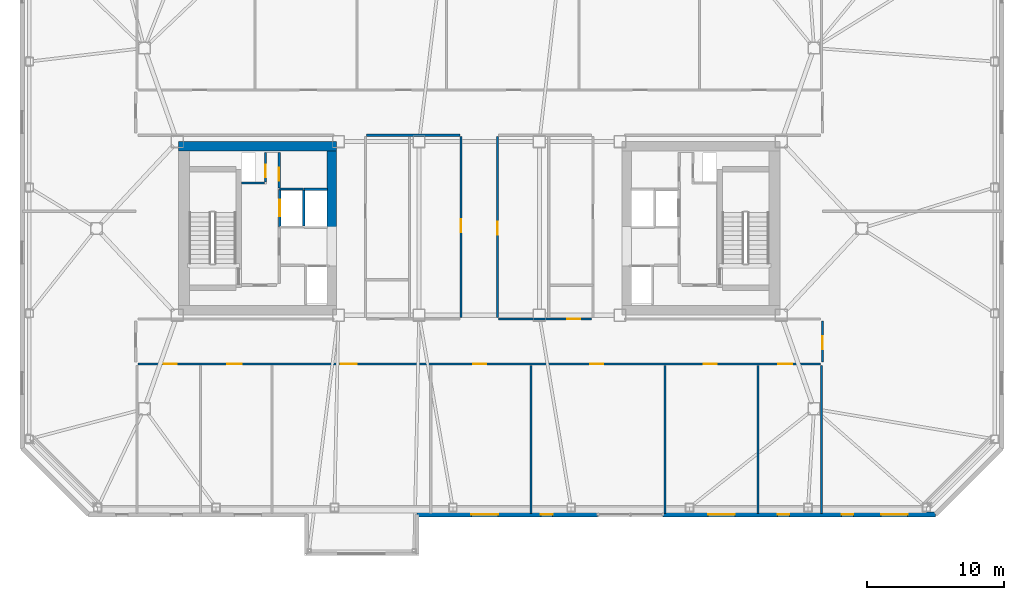
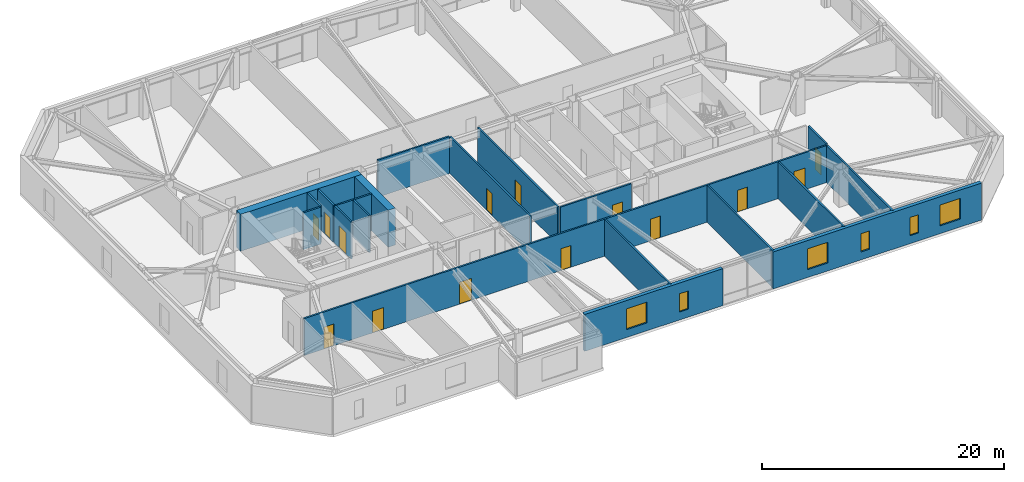
# One storey, part 10 of 16: 21 walls, 14 doors, 6 windows, 20 openings.
"""IFC4 building model written with IfcOpenShell, lengths in metres."""

from ifc_helpers import new_model, si_unit, direction, frame, frame_2d, origin, place, context, subcontext, project, spatial, rectangle, extrude, material, layer, layer_set, type_object, element, fill, save


model = new_model("IFC4")

# Units and contexts
model_context = context("Model", 3, precision=1e-05, world=origin(), true_north=direction((0.0, 1.0)))
body_context = subcontext(model_context, "Body", "Model", "MODEL_VIEW")
ifc_project = project(units=[si_unit("LENGTHUNIT", "METRE"), si_unit("AREAUNIT", "SQUARE_METRE"), si_unit("VOLUMEUNIT", "CUBIC_METRE"), si_unit("PLANEANGLEUNIT", "RADIAN"), si_unit("MASSUNIT", "GRAM", prefix="KILO")], contexts=[model_context])

# Site, building, storey
site_placement = place(None, origin())
site = spatial("IfcSite", under=ifc_project, at=site_placement, CompositionType="ELEMENT")
building_placement = place(site_placement, origin())
building = spatial("IfcBuilding", under=site, at=building_placement, Name="Tavrogorsk Clinical Tower", CompositionType="ELEMENT")
storey_placement = place(building_placement, frame((0.0, 0.0, 164.199951171875)))
storey = spatial("IfcBuildingStorey", under=building, at=storey_placement, Name="L37", CompositionType="ELEMENT", Elevation=164.199951171875)

# Wall, opening, door
ifc_material_1 = material(Name="Concrete B60", Category="concrete")
ifc_layer_1 = layer(ifc_material_1, 0.199951171875)
ifc_layer_set_1 = layer_set([ifc_layer_1], Name="Concrete B60")
wall_type_1 = type_object("IfcWallType", Name="CoreFireWall_200", PredefinedType="SOLIDWALL", material=ifc_layer_set_1)
wall_1_placement = place(storey_placement, frame((-14.639892578125, 2.9599609375, 0.0), z_axis=(0.0, 0.0, 1.0), x_axis=(0.0, 1.0, 0.0)))
wall_1 = element("IfcWall", 1, at=wall_1_placement, inside=storey, type_object=wall_type_1, Name="L37 Core West North Core Room East Wall", PredefinedType="SOLIDWALL", context=body_context, shape_type="SweptSolid", body=[
    extrude(rectangle(XDim=2.60009765625, YDim=0.199951171875, at=frame_2d((1.300048828125, 0.0))), origin(), (0.0, 0.0, 1.0), 3.739990234375),
])
opening_1_placement = place(wall_1_placement, frame((0.52001953125, 0.0, 0.0)))
opening_1 = element("IfcOpeningElement", 2, at=opening_1_placement, cuts=wall_1, Name="Opening ID-02", PredefinedType="OPENING", context=body_context, shape_type="SweptSolid", body=[
    extrude(rectangle(XDim=0.949951171875, YDim=2.199951171875, at=frame_2d((0.47509765625, 1.10009765625))), frame((0.0, 0.10986328125, 0.0), z_axis=(0.0, -1.0, 0.0), x_axis=(1.0, 0.0, 0.0)), (0.0, 0.0, 1.0), 0.219970703125),
])
ifc_material_2 = material(Name="Laminated timber leaf on aluminium frame", Category="wood")
door_type_1 = type_object("IfcDoorType", Name="InteriorDoor_ID02_950", OperationType="NOTDEFINED", PredefinedType="DOOR", material=ifc_material_2)
door_1_placement = place(opening_1_placement, origin())
door_1 = element("IfcDoor", 3, at=door_1_placement, inside=storey, type_object=door_type_1, Name="L37 Core West Core Telemetry Room Door", OperationType="SINGLE_SWING_LEFT", OverallHeight=2.199951171875, OverallWidth=0.949951171875, PredefinedType="DOOR", context=body_context, shape_type="SweptSolid", body=[
    extrude(rectangle(XDim=0.949951171875, YDim=2.199951171875, at=frame_2d((0.47509765625, 1.10009765625))), frame((0.0, 0.02490234375, 0.0), z_axis=(0.0, -1.0, 0.0), x_axis=(1.0, 0.0, 0.0)), (0.0, 0.0, 1.0), 0.050048828125),
])
fill(opening_1, door_1)

ifc_material_3 = material(Name="Lightweight concrete blockwork B15", Category="masonry")
ifc_layer_2 = layer(ifc_material_3, 0.159912109375)
ifc_layer_set_2 = layer_set([ifc_layer_2], Name="Lightweight concrete blockwork B15")
wall_type_2 = type_object("IfcWallType", Name="PartitionWall_160", PredefinedType="PARTITIONING", material=ifc_layer_set_2)
wall_2_placement = place(storey_placement, frame((25.1298828125, -6.784912109375, 0.0), z_axis=(0.0, 0.0, 1.0), x_axis=(0.0, -1.0, 0.0)))
wall_2 = element("IfcWall", 4, at=wall_2_placement, inside=storey, type_object=wall_type_2, Name="L37 Corridor Partition 09", PredefinedType="PARTITIONING", context=body_context, shape_type="SweptSolid", body=[
    extrude(rectangle(XDim=2.97998046875, YDim=0.159912109375, at=frame_2d((1.489990234375, 0.0))), origin(), (0.0, 0.0, 1.0), 3.739990234375),
])
opening_2_placement = place(wall_2_placement, frame((1.10009765625, 0.0, 0.0)))
opening_2 = element("IfcOpeningElement", 5, at=opening_2_placement, cuts=wall_2, Name="Opening ID-02", PredefinedType="OPENING", context=body_context, shape_type="SweptSolid", body=[
    extrude(rectangle(XDim=0.949951171875, YDim=2.199951171875, at=frame_2d((0.47509765625, 1.10009765625))), frame((0.0, 0.08984375, 0.0), z_axis=(0.0, -1.0, 0.0), x_axis=(1.0, 0.0, 0.0)), (0.0, 0.0, 1.0), 0.179931640625),
])
door_2_placement = place(opening_2_placement, origin())
door_2 = element("IfcDoor", 6, at=door_2_placement, inside=storey, type_object=door_type_1, Name="L37 E Senior Clinician Suite 1 Door", OperationType="SINGLE_SWING_RIGHT", OverallHeight=2.199951171875, OverallWidth=0.949951171875, PredefinedType="DOOR", context=body_context, shape_type="SweptSolid", body=[
    extrude(rectangle(XDim=0.949951171875, YDim=2.199951171875, at=frame_2d((0.47509765625, 1.10009765625))), frame((0.0, 0.02490234375, 0.0), z_axis=(0.0, -1.0, 0.0), x_axis=(1.0, 0.0, 0.0)), (0.0, 0.0, 1.0), 0.050048828125),
])
fill(opening_2, door_2)

# Wall, openings, doors
wall_3_placement = place(storey_placement, frame((24.965087890625, -9.929931640625, 0.0), z_axis=(0.0, 0.0, 1.0), x_axis=(-1.0, 0.0, 0.0)))
wall_3 = element("IfcWall", 7, at=wall_3_placement, inside=storey, type_object=wall_type_2, Name="L37 Corridor Partition 10", PredefinedType="PARTITIONING", context=body_context, shape_type="SweptSolid", body=[
    extrude(rectangle(XDim=49.93017578125, YDim=0.159912109375, at=frame_2d((24.965087890625, 0.0))), origin(), (0.0, 0.0, 1.0), 3.739990234375),
])
opening_3_placement = place(wall_3_placement, frame((47.10595703125, 0.0, 0.0)))
opening_3 = element("IfcOpeningElement", 8, at=opening_3_placement, cuts=wall_3, Name="Opening ID-02", PredefinedType="OPENING", context=body_context, shape_type="SweptSolid", body=[
    extrude(rectangle(XDim=0.949951171875, YDim=2.199951171875, at=frame_2d((0.47509765625, 1.10009765625))), frame((0.0, 0.08984375, 0.0), z_axis=(0.0, -1.0, 0.0), x_axis=(1.0, 0.0, 0.0)), (0.0, 0.0, 1.0), 0.179931640625),
])
opening_4_placement = place(wall_3_placement, frame((42.35498046875, 0.0, 0.0)))
opening_4 = element("IfcOpeningElement", 9, at=opening_4_placement, cuts=wall_3, Name="Opening ID-04", PredefinedType="OPENING", context=body_context, shape_type="SweptSolid", body=[
    extrude(rectangle(XDim=1.050048828125, YDim=2.199951171875, at=frame_2d((0.52490234375, 1.10009765625))), frame((0.0, 0.08984375, 0.0), z_axis=(0.0, -1.0, 0.0), x_axis=(1.0, 0.0, 0.0)), (0.0, 0.0, 1.0), 0.179931640625),
])
opening_5_placement = place(wall_3_placement, frame((33.929931640625, 0.0, 0.0)))
opening_5 = element("IfcOpeningElement", 10, at=opening_5_placement, cuts=wall_3, Name="Opening ID-06", PredefinedType="OPENING", context=body_context, shape_type="SweptSolid", body=[
    extrude(rectangle(XDim=1.14990234375, YDim=2.199951171875, at=frame_2d((0.574951171875, 1.10009765625))), frame((0.0, 0.08984375, 0.0), z_axis=(0.0, -1.0, 0.0), x_axis=(1.0, 0.0, 0.0)), (0.0, 0.0, 1.0), 0.179931640625),
])
opening_6_placement = place(wall_3_placement, frame((24.449951171875, 0.0, 0.0)))
opening_6 = element("IfcOpeningElement", 11, at=opening_6_placement, cuts=wall_3, Name="Opening ID-02", PredefinedType="OPENING", context=body_context, shape_type="SweptSolid", body=[
    extrude(rectangle(XDim=0.949951171875, YDim=2.199951171875, at=frame_2d((0.47509765625, 1.10009765625))), frame((0.0, 0.08984375, 0.0), z_axis=(0.0, -1.0, 0.0), x_axis=(1.0, 0.0, 0.0)), (0.0, 0.0, 1.0), 0.179931640625),
])
opening_7_placement = place(wall_3_placement, frame((15.875, 0.0, 0.0)))
opening_7 = element("IfcOpeningElement", 12, at=opening_7_placement, cuts=wall_3, Name="Opening ID-02", PredefinedType="OPENING", context=body_context, shape_type="SweptSolid", body=[
    extrude(rectangle(XDim=0.949951171875, YDim=2.199951171875, at=frame_2d((0.47509765625, 1.10009765625))), frame((0.0, 0.08984375, 0.0), z_axis=(0.0, -1.0, 0.0), x_axis=(1.0, 0.0, 0.0)), (0.0, 0.0, 1.0), 0.179931640625),
])
opening_8_placement = place(wall_3_placement, frame((7.574951171875, 0.0, 0.0)))
opening_8 = element("IfcOpeningElement", 13, at=opening_8_placement, cuts=wall_3, Name="Opening ID-02", PredefinedType="OPENING", context=body_context, shape_type="SweptSolid", body=[
    extrude(rectangle(XDim=0.949951171875, YDim=2.199951171875, at=frame_2d((0.47509765625, 1.10009765625))), frame((0.0, 0.08984375, 0.0), z_axis=(0.0, -1.0, 0.0), x_axis=(1.0, 0.0, 0.0)), (0.0, 0.0, 1.0), 0.179931640625),
])
opening_9_placement = place(wall_3_placement, frame((2.044189453125, 0.0, 0.0)))
opening_9 = element("IfcOpeningElement", 14, at=opening_9_placement, cuts=wall_3, Name="Opening ID-04", PredefinedType="OPENING", context=body_context, shape_type="SweptSolid", body=[
    extrude(rectangle(XDim=1.050048828125, YDim=2.199951171875, at=frame_2d((0.52490234375, 1.10009765625))), frame((0.0, 0.08984375, 0.0), z_axis=(0.0, -1.0, 0.0), x_axis=(1.0, 0.0, 0.0)), (0.0, 0.0, 1.0), 0.179931640625),
])
ifc_material_4 = material(Name="Antibacterial HPL consultation door on aluminium frame", Category="aluminium")
door_type_2 = type_object("IfcDoorType", Name="ConsultDoor_ID04_1050", OperationType="NOTDEFINED", PredefinedType="DOOR", material=ifc_material_4)
door_3_placement = place(opening_4_placement, origin())
door_3 = element("IfcDoor", 15, at=door_3_placement, inside=storey, type_object=door_type_2, Name="L37 South Dialysis Dialysate Storage Room 02 Door", OperationType="SINGLE_SWING_RIGHT", OverallHeight=2.199951171875, OverallWidth=1.050048828125, PredefinedType="DOOR", context=body_context, shape_type="SweptSolid", body=[
    extrude(rectangle(XDim=1.050048828125, YDim=2.199951171875, at=frame_2d((0.52490234375, 1.10009765625))), frame((0.0, 0.02490234375, 0.0), z_axis=(0.0, -1.0, 0.0), x_axis=(1.0, 0.0, 0.0)), (0.0, 0.0, 1.0), 0.050048828125),
])
fill(opening_4, door_3)
door_4_placement = place(opening_9_placement, origin())
door_4 = element("IfcDoor", 16, at=door_4_placement, inside=storey, type_object=door_type_2, Name="L37 South Nephrology Consultation Office 07 Door", OperationType="SINGLE_SWING_LEFT", OverallHeight=2.199951171875, OverallWidth=1.050048828125, PredefinedType="DOOR", context=body_context, shape_type="SweptSolid", body=[
    extrude(rectangle(XDim=1.050048828125, YDim=2.199951171875, at=frame_2d((0.52490234375, 1.10009765625))), frame((0.0, 0.02490234375, 0.0), z_axis=(0.0, -1.0, 0.0), x_axis=(1.0, 0.0, 0.0)), (0.0, 0.0, 1.0), 0.050048828125),
])
fill(opening_9, door_4)
door_5_placement = place(opening_3_placement, origin())
door_5 = element("IfcDoor", 17, at=door_5_placement, inside=storey, type_object=door_type_1, Name="L37 South Nephrology Consultation Office 01 Door", OperationType="SINGLE_SWING_LEFT", OverallHeight=2.199951171875, OverallWidth=0.949951171875, PredefinedType="DOOR", context=body_context, shape_type="SweptSolid", body=[
    extrude(rectangle(XDim=0.949951171875, YDim=2.199951171875, at=frame_2d((0.47509765625, 1.10009765625))), frame((0.0, 0.02490234375, 0.0), z_axis=(0.0, -1.0, 0.0), x_axis=(1.0, 0.0, 0.0)), (0.0, 0.0, 1.0), 0.050048828125),
])
fill(opening_3, door_5)
door_6_placement = place(opening_6_placement, origin())
door_6 = element("IfcDoor", 18, at=door_6_placement, inside=storey, type_object=door_type_1, Name="L37 South Dialysis Dialysate Storage Room 04 Door", OperationType="SINGLE_SWING_RIGHT", OverallHeight=2.199951171875, OverallWidth=0.949951171875, PredefinedType="DOOR", context=body_context, shape_type="SweptSolid", body=[
    extrude(rectangle(XDim=0.949951171875, YDim=2.199951171875, at=frame_2d((0.47509765625, 1.10009765625))), frame((0.0, 0.02490234375, 0.0), z_axis=(0.0, -1.0, 0.0), x_axis=(1.0, 0.0, 0.0)), (0.0, 0.0, 1.0), 0.050048828125),
])
fill(opening_6, door_6)
door_7_placement = place(opening_7_placement, origin())
door_7 = element("IfcDoor", 19, at=door_7_placement, inside=storey, type_object=door_type_1, Name="L37 South Nephrology Consultation Office 05 Door", OperationType="SINGLE_SWING_LEFT", OverallHeight=2.199951171875, OverallWidth=0.949951171875, PredefinedType="DOOR", context=body_context, shape_type="SweptSolid", body=[
    extrude(rectangle(XDim=0.949951171875, YDim=2.199951171875, at=frame_2d((0.47509765625, 1.10009765625))), frame((0.0, 0.02490234375, 0.0), z_axis=(0.0, -1.0, 0.0), x_axis=(1.0, 0.0, 0.0)), (0.0, 0.0, 1.0), 0.050048828125),
])
fill(opening_7, door_7)
door_8_placement = place(opening_8_placement, origin())
door_8 = element("IfcDoor", 20, at=door_8_placement, inside=storey, type_object=door_type_1, Name="L37 South Dialysis Dialysate Storage Room 06 Door", OperationType="SINGLE_SWING_RIGHT", OverallHeight=2.199951171875, OverallWidth=0.949951171875, PredefinedType="DOOR", context=body_context, shape_type="SweptSolid", body=[
    extrude(rectangle(XDim=0.949951171875, YDim=2.199951171875, at=frame_2d((0.47509765625, 1.10009765625))), frame((0.0, 0.02490234375, 0.0), z_axis=(0.0, -1.0, 0.0), x_axis=(1.0, 0.0, 0.0)), (0.0, 0.0, 1.0), 0.050048828125),
])
fill(opening_8, door_8)
ifc_material_5 = material(Name="Antibacterial HPL procedure door on aluminium frame", Category="aluminium")
door_type_3 = type_object("IfcDoorType", Name="LabDoor_ID06_1150", OperationType="NOTDEFINED", PredefinedType="DOOR", material=ifc_material_5)
door_9_placement = place(opening_5_placement, origin())
door_9 = element("IfcDoor", 21, at=door_9_placement, inside=storey, type_object=door_type_3, Name="L37 South Nephrology Consultation Office 03 Door", OperationType="SINGLE_SWING_LEFT", OverallHeight=2.199951171875, OverallWidth=1.14990234375, PredefinedType="DOOR", context=body_context, shape_type="SweptSolid", body=[
    extrude(rectangle(XDim=1.14990234375, YDim=2.199951171875, at=frame_2d((0.574951171875, 1.10009765625))), frame((0.0, 0.02490234375, 0.0), z_axis=(0.0, -1.0, 0.0), x_axis=(1.0, 0.0, 0.0)), (0.0, 0.0, 1.0), 0.050048828125),
])
fill(opening_5, door_9)

# Wall, opening, door
wall_4_placement = place(storey_placement, frame((1.330078125, 6.735107421875, 0.0), z_axis=(0.0, 0.0, 1.0), x_axis=(0.0, -1.0, 0.0)))
wall_4 = element("IfcWall", 22, at=wall_4_placement, inside=storey, type_object=wall_type_2, Name="L37 Corridor Partition 12", PredefinedType="PARTITIONING", context=body_context, shape_type="SweptSolid", body=[
    extrude(rectangle(XDim=13.27001953125, YDim=0.159912109375, at=frame_2d((6.635009765625, 0.0))), origin(), (0.0, 0.0, 1.0), 3.739990234375),
])
opening_10_placement = place(wall_4_placement, frame((6.2451171875, 0.0, 0.0)))
opening_10 = element("IfcOpeningElement", 23, at=opening_10_placement, cuts=wall_4, Name="Opening ID-02", PredefinedType="OPENING", context=body_context, shape_type="SweptSolid", body=[
    extrude(rectangle(XDim=0.949951171875, YDim=2.199951171875, at=frame_2d((0.47509765625, 1.10009765625))), frame((0.0, 0.08984375, 0.0), z_axis=(0.0, -1.0, 0.0), x_axis=(1.0, 0.0, 0.0)), (0.0, 0.0, 1.0), 0.179931640625),
])
door_10_placement = place(opening_10_placement, origin())
door_10 = element("IfcDoor", 24, at=door_10_placement, inside=storey, type_object=door_type_1, Name="L37 Clean Medication Preparation Room Door", OperationType="SINGLE_SWING_LEFT", OverallHeight=2.199951171875, OverallWidth=0.949951171875, PredefinedType="DOOR", context=body_context, shape_type="SweptSolid", body=[
    extrude(rectangle(XDim=0.949951171875, YDim=2.199951171875, at=frame_2d((0.47509765625, 1.10009765625))), frame((0.0, 0.02490234375, 0.0), z_axis=(0.0, -1.0, 0.0), x_axis=(1.0, 0.0, 0.0)), (0.0, 0.0, 1.0), 0.050048828125),
])
fill(opening_10, door_10)

wall_5_placement = place(storey_placement, frame((1.4150390625, -6.6201171875, 0.0), z_axis=(0.0, 0.0, 1.0), x_axis=(1.0, 0.0, 0.0)))
wall_5 = element("IfcWall", 25, at=wall_5_placement, inside=storey, type_object=wall_type_2, Name="L37 Corridor Partition 13", PredefinedType="PARTITIONING", context=body_context, shape_type="SweptSolid", body=[
    extrude(rectangle(XDim=6.820068359375, YDim=0.159912109375, at=frame_2d((3.41015625, 0.0))), origin(), (0.0, 0.0, 1.0), 3.739990234375),
])
opening_11_placement = place(wall_5_placement, frame((5.010986328125, 0.0, 0.0)))
opening_11 = element("IfcOpeningElement", 26, at=opening_11_placement, cuts=wall_5, Name="Opening ID-02", PredefinedType="OPENING", context=body_context, shape_type="SweptSolid", body=[
    extrude(rectangle(XDim=0.949951171875, YDim=2.199951171875, at=frame_2d((0.47509765625, 1.10009765625))), frame((0.0, 0.08984375, 0.0), z_axis=(0.0, -1.0, 0.0), x_axis=(1.0, 0.0, 0.0)), (0.0, 0.0, 1.0), 0.179931640625),
])
door_11_placement = place(opening_11_placement, origin())
door_11 = element("IfcDoor", 27, at=door_11_placement, inside=storey, type_object=door_type_1, Name="L37 Staff & Visitor Accessible WC Door", OperationType="SINGLE_SWING_RIGHT", OverallHeight=2.199951171875, OverallWidth=0.949951171875, PredefinedType="DOOR", context=body_context, shape_type="SweptSolid", body=[
    extrude(rectangle(XDim=0.949951171875, YDim=2.199951171875, at=frame_2d((0.47509765625, 1.10009765625))), frame((0.0, 0.02490234375, 0.0), z_axis=(0.0, -1.0, 0.0), x_axis=(1.0, 0.0, 0.0)), (0.0, 0.0, 1.0), 0.050048828125),
])
fill(opening_11, door_11)

wall_6_placement = place(storey_placement, frame((-1.330078125, -6.534912109375, 0.0), z_axis=(0.0, 0.0, 1.0), x_axis=(0.0, 1.0, 0.0)))
wall_6 = element("IfcWall", 28, at=wall_6_placement, inside=storey, type_object=wall_type_2, Name="L37 Corridor Partition 15", PredefinedType="PARTITIONING", context=body_context, shape_type="SweptSolid", body=[
    extrude(rectangle(XDim=13.27001953125, YDim=0.159912109375, at=frame_2d((6.635009765625, 0.0))), origin(), (0.0, 0.0, 1.0), 3.739990234375),
])
opening_12_placement = place(wall_6_placement, frame((6.2451171875, 0.0, 0.0)))
opening_12 = element("IfcOpeningElement", 29, at=opening_12_placement, cuts=wall_6, Name="Opening ID-02", PredefinedType="OPENING", context=body_context, shape_type="SweptSolid", body=[
    extrude(rectangle(XDim=0.949951171875, YDim=2.199951171875, at=frame_2d((0.47509765625, 1.10009765625))), frame((0.0, 0.08984375, 0.0), z_axis=(0.0, -1.0, 0.0), x_axis=(1.0, 0.0, 0.0)), (0.0, 0.0, 1.0), 0.179931640625),
])
door_12_placement = place(opening_12_placement, origin())
door_12 = element("IfcDoor", 30, at=door_12_placement, inside=storey, type_object=door_type_1, Name="L37 Nurses' Station & Telemetry Hub Door", OperationType="SINGLE_SWING_RIGHT", OverallHeight=2.199951171875, OverallWidth=0.949951171875, PredefinedType="DOOR", context=body_context, shape_type="SweptSolid", body=[
    extrude(rectangle(XDim=0.949951171875, YDim=2.199951171875, at=frame_2d((0.47509765625, 1.10009765625))), frame((0.0, 0.02490234375, 0.0), z_axis=(0.0, -1.0, 0.0), x_axis=(1.0, 0.0, 0.0)), (0.0, 0.0, 1.0), 0.050048828125),
])
fill(opening_12, door_12)

# Walls
wall_7_placement = place(storey_placement, frame((-1.4150390625, 6.820068359375, 0.0), z_axis=(0.0, 0.0, 1.0), x_axis=(-1.0, 0.0, 0.0)))
element("IfcWall", 31, at=wall_7_placement, inside=storey, type_object=wall_type_2, Name="L37 Corridor Partition 16", PredefinedType="PARTITIONING", context=body_context, shape_type="SweptSolid", body=[
    extrude(rectangle(XDim=6.820068359375, YDim=0.159912109375, at=frame_2d((3.41015625, 0.0))), origin(), (0.0, 0.0, 1.0), 3.739990234375),
])
for number, where, z_axis, x_axis, name in (
    (32, (25.050048828125, -20.860107421875, 0.0), (0.0, 0.0, 1.0), (0.0, 1.0, 0.0), "L37 SE Wing Closure Partition"),
    (33, (3.800048828125, -20.860107421875, 0.0), (0.0, 0.0, 1.0), (0.0, 1.0, 0.0), "L37 South Room Partition 4"),
    (34, (13.60009765625, -20.860107421875, 0.0), (0.0, 0.0, 1.0), (0.0, 1.0, 0.0), "L37 South Room Partition 5"),
    (35, (20.39990234375, -20.860107421875, 0.0), (0.0, 0.0, 1.0), (0.0, 1.0, 0.0), "L37 South Room Partition 6"),
):
    element("IfcWall", number, at=place(storey_placement, frame(where, z_axis=z_axis, x_axis=x_axis)), inside=storey, type_object=wall_type_2, Name=name, PredefinedType="PARTITIONING", context=body_context, shape_type="SweptSolid", body=[
        extrude(rectangle(XDim=10.84521484375, YDim=0.159912109375, at=frame_2d((5.422607421875, 0.0))), origin(), (0.0, 0.0, 1.0), 3.739990234375),
    ])

# Wall, openings, windows
ifc_material_6 = material(Name="Precast concrete B45 with limestone cladding", Category="masonry")
ifc_layer_3 = layer(ifc_material_6, 0.340087890625)
ifc_layer_set_3 = layer_set([ifc_layer_3], Name="Precast concrete B45 with limestone cladding")
wall_type_3 = type_object("IfcWallType", Name="PrecastLimestoneWall_340", PredefinedType="STANDARD", material=ifc_layer_set_3)
wall_8_placement = place(storey_placement, frame((-4.550048828125, -20.929931640625, 0.0), z_axis=(0.0, 0.0, 1.0), x_axis=(1.0, 0.0, 0.0)))
wall_8 = element("IfcWall", 36, at=wall_8_placement, inside=storey, type_object=wall_type_3, Name="L37 S Limestone Facade Wall 2", PredefinedType="STANDARD", context=body_context, shape_type="SweptSolid", body=[
    extrude(rectangle(XDim=13.212890625, YDim=0.340087890625, at=frame_2d((6.6064453125, 0.0))), origin(), (0.0, 0.0, 1.0), 3.739990234375),
])
opening_13_placement = place(wall_8_placement, frame((3.982666015625, 0.0, 0.800048828125)))
opening_13 = element("IfcOpeningElement", 37, at=opening_13_placement, cuts=wall_8, Name="Opening WN-13", PredefinedType="OPENING", context=body_context, shape_type="SweptSolid", body=[
    extrude(rectangle(XDim=1.949951171875, YDim=2.10009765625, at=frame_2d((0.97509765625, 1.050048828125))), frame((0.0, 0.179931640625, 0.0), z_axis=(0.0, -1.0, 0.0), x_axis=(1.0, 0.0, 0.0)), (0.0, 0.0, 1.0), 0.360107421875),
])
opening_14_placement = place(wall_8_placement, frame((9.0673828125, 0.0, 0.800048828125)))
opening_14 = element("IfcOpeningElement", 38, at=opening_14_placement, cuts=wall_8, Name="Opening WN-06", PredefinedType="OPENING", context=body_context, shape_type="SweptSolid", body=[
    extrude(rectangle(XDim=0.85009765625, YDim=1.85009765625, at=frame_2d((0.425048828125, 0.925048828125))), frame((0.0, 0.179931640625, 0.0), z_axis=(0.0, -1.0, 0.0), x_axis=(1.0, 0.0, 0.0)), (0.0, 0.0, 1.0), 0.360107421875),
])
ifc_material_7 = material(Name="Thermally broken aluminium frame and triple IGU", Category="aluminium")
window_type_1 = type_object("IfcWindowType", Name="ExamRoomWin_1950x2100", PartitioningType="DOUBLE_PANEL_VERTICAL", PredefinedType="WINDOW", material=ifc_material_7)
window_1_placement = place(opening_13_placement, origin())
window_1 = element("IfcWindow", 39, at=window_1_placement, inside=storey, type_object=window_type_1, Name="L37 S Chicago Window 05", OverallHeight=2.10009765625, OverallWidth=1.949951171875, PartitioningType="SINGLE_PANEL", PredefinedType="WINDOW", context=body_context, shape_type="SweptSolid", body=[
    extrude(rectangle(XDim=1.949951171875, YDim=2.10009765625, at=frame_2d((0.97509765625, 1.050048828125))), frame((0.0, 0.030029296875, 0.0), z_axis=(0.0, -1.0, 0.0), x_axis=(1.0, 0.0, 0.0)), (0.0, 0.0, 1.0), 0.06005859375),
])
fill(opening_13, window_1)
ifc_material_8 = material(Name="Thermally broken aluminium frame and triple IGU", Category="aluminium")
window_type_2 = type_object("IfcWindowType", Name="MullionSubWin_850x1850", PartitioningType="SINGLE_PANEL", PredefinedType="WINDOW", material=ifc_material_8)
window_2_placement = place(opening_14_placement, origin())
window_2 = element("IfcWindow", 40, at=window_2_placement, inside=storey, type_object=window_type_2, Name="L37 S Mullion Split Window 06B", OverallHeight=1.85009765625, OverallWidth=0.85009765625, PartitioningType="SINGLE_PANEL", PredefinedType="WINDOW", context=body_context, shape_type="SweptSolid", body=[
    extrude(rectangle(XDim=0.85009765625, YDim=1.85009765625, at=frame_2d((0.425048828125, 0.925048828125))), frame((0.0, 0.030029296875, 0.0), z_axis=(0.0, -1.0, 0.0), x_axis=(1.0, 0.0, 0.0)), (0.0, 0.0, 1.0), 0.06005859375),
])
fill(opening_14, window_2)

wall_9_placement = place(storey_placement, frame((13.462890625, -20.929931640625, 0.0), z_axis=(0.0, 0.0, 1.0), x_axis=(1.0, 0.0, 0.0)))
wall_9 = element("IfcWall", 41, at=wall_9_placement, inside=storey, type_object=wall_type_3, Name="L37 S Limestone Facade Wall 3", PredefinedType="STANDARD", context=body_context, shape_type="SweptSolid", body=[
    extrude(rectangle(XDim=19.93701171875, YDim=0.340087890625, at=frame_2d((9.968505859375, 0.0))), origin(), (0.0, 0.0, 1.0), 3.739990234375),
])
opening_15_placement = place(wall_9_placement, frame((3.29541015625, 0.0, 0.800048828125)))
opening_15 = element("IfcOpeningElement", 42, at=opening_15_placement, cuts=wall_9, Name="Opening WN-13", PredefinedType="OPENING", context=body_context, shape_type="SweptSolid", body=[
    extrude(rectangle(XDim=1.949951171875, YDim=2.10009765625, at=frame_2d((0.97509765625, 1.050048828125))), frame((0.0, 0.179931640625, 0.0), z_axis=(0.0, -1.0, 0.0), x_axis=(1.0, 0.0, 0.0)), (0.0, 0.0, 1.0), 0.360107421875),
])
opening_16_placement = place(wall_9_placement, frame((8.38037109375, 0.0, 0.800048828125)))
opening_16 = element("IfcOpeningElement", 43, at=opening_16_placement, cuts=wall_9, Name="Opening WN-06", PredefinedType="OPENING", context=body_context, shape_type="SweptSolid", body=[
    extrude(rectangle(XDim=0.85009765625, YDim=1.85009765625, at=frame_2d((0.425048828125, 0.925048828125))), frame((0.0, 0.179931640625, 0.0), z_axis=(0.0, -1.0, 0.0), x_axis=(1.0, 0.0, 0.0)), (0.0, 0.0, 1.0), 0.360107421875),
])
opening_17_placement = place(wall_9_placement, frame((13.058349609375, 0.0, 0.800048828125)))
opening_17 = element("IfcOpeningElement", 44, at=opening_17_placement, cuts=wall_9, Name="Opening WN-06", PredefinedType="OPENING", context=body_context, shape_type="SweptSolid", body=[
    extrude(rectangle(XDim=0.85009765625, YDim=1.85009765625, at=frame_2d((0.425048828125, 0.925048828125))), frame((0.0, 0.179931640625, 0.0), z_axis=(0.0, -1.0, 0.0), x_axis=(1.0, 0.0, 0.0)), (0.0, 0.0, 1.0), 0.360107421875),
])
opening_18_placement = place(wall_9_placement, frame((15.943115234375, 0.0, 0.800048828125)))
opening_18 = element("IfcOpeningElement", 45, at=opening_18_placement, cuts=wall_9, Name="Opening WN-13", PredefinedType="OPENING", context=body_context, shape_type="SweptSolid", body=[
    extrude(rectangle(XDim=1.949951171875, YDim=2.10009765625, at=frame_2d((0.97509765625, 1.050048828125))), frame((0.0, 0.179931640625, 0.0), z_axis=(0.0, -1.0, 0.0), x_axis=(1.0, 0.0, 0.0)), (0.0, 0.0, 1.0), 0.360107421875),
])
window_3_placement = place(opening_15_placement, origin())
window_3 = element("IfcWindow", 46, at=window_3_placement, inside=storey, type_object=window_type_1, Name="L37 S Chicago Window 07", OverallHeight=2.10009765625, OverallWidth=1.949951171875, PartitioningType="SINGLE_PANEL", PredefinedType="WINDOW", context=body_context, shape_type="SweptSolid", body=[
    extrude(rectangle(XDim=1.949951171875, YDim=2.10009765625, at=frame_2d((0.97509765625, 1.050048828125))), frame((0.0, 0.030029296875, 0.0), z_axis=(0.0, -1.0, 0.0), x_axis=(1.0, 0.0, 0.0)), (0.0, 0.0, 1.0), 0.06005859375),
])
fill(opening_15, window_3)
window_4_placement = place(opening_18_placement, origin())
window_4 = element("IfcWindow", 47, at=window_4_placement, inside=storey, type_object=window_type_1, Name="L37 S Chicago Window 10", OverallHeight=2.10009765625, OverallWidth=1.949951171875, PartitioningType="SINGLE_PANEL", PredefinedType="WINDOW", context=body_context, shape_type="SweptSolid", body=[
    extrude(rectangle(XDim=1.949951171875, YDim=2.10009765625, at=frame_2d((0.97509765625, 1.050048828125))), frame((0.0, 0.030029296875, 0.0), z_axis=(0.0, -1.0, 0.0), x_axis=(1.0, 0.0, 0.0)), (0.0, 0.0, 1.0), 0.06005859375),
])
fill(opening_18, window_4)
window_5_placement = place(opening_16_placement, origin())
window_5 = element("IfcWindow", 48, at=window_5_placement, inside=storey, type_object=window_type_2, Name="L37 S Mullion Split Window 08B", OverallHeight=1.85009765625, OverallWidth=0.85009765625, PartitioningType="SINGLE_PANEL", PredefinedType="WINDOW", context=body_context, shape_type="SweptSolid", body=[
    extrude(rectangle(XDim=0.85009765625, YDim=1.85009765625, at=frame_2d((0.425048828125, 0.925048828125))), frame((0.0, 0.030029296875, 0.0), z_axis=(0.0, -1.0, 0.0), x_axis=(1.0, 0.0, 0.0)), (0.0, 0.0, 1.0), 0.06005859375),
])
fill(opening_16, window_5)
window_6_placement = place(opening_17_placement, origin())
window_6 = element("IfcWindow", 49, at=window_6_placement, inside=storey, type_object=window_type_2, Name="L37 S Mullion Split Window 09B", OverallHeight=1.85009765625, OverallWidth=0.85009765625, PartitioningType="SINGLE_PANEL", PredefinedType="WINDOW", context=body_context, shape_type="SweptSolid", body=[
    extrude(rectangle(XDim=0.85009765625, YDim=1.85009765625, at=frame_2d((0.425048828125, 0.925048828125))), frame((0.0, 0.030029296875, 0.0), z_axis=(0.0, -1.0, 0.0), x_axis=(1.0, 0.0, 0.0)), (0.0, 0.0, 1.0), 0.06005859375),
])
fill(opening_17, window_6)

# Wall, opening, door
ifc_material_9 = material(Name="Lightweight concrete blockwork B25", Category="masonry")
ifc_layer_4 = layer(ifc_material_9, 0.159912109375)
ifc_layer_set_4 = layer_set([ifc_layer_4], Name="Lightweight concrete blockwork B25")
wall_type_4 = type_object("IfcWallType", Name="ShaftWall_160", PredefinedType="PARTITIONING", material=ifc_layer_set_4)
wall_10_placement = place(storey_placement, frame((-14.60009765625, 0.1201171875, 0.0), z_axis=(0.0, 0.0, 1.0), x_axis=(0.0, 1.0, 0.0)))
wall_10 = element("IfcWall", 50, at=wall_10_placement, inside=storey, type_object=wall_type_4, Name="L37 FFL-W Firefighting Lift Front Wall", PredefinedType="PARTITIONING", context=body_context, shape_type="SweptSolid", body=[
    extrude(rectangle(XDim=2.739990234375, YDim=0.159912109375, at=frame_2d((1.3701171875, 0.0))), origin(), (0.0, 0.0, 1.0), 3.739990234375),
])
opening_19_placement = place(wall_10_placement, frame((0.77001953125, 0.0, 0.0)))
opening_19 = element("IfcOpeningElement", 51, at=opening_19_placement, cuts=wall_10, Name="Opening LD", PredefinedType="OPENING", context=body_context, shape_type="SweptSolid", body=[
    extrude(rectangle(XDim=1.199951171875, YDim=2.199951171875, at=frame_2d((0.60009765625, 1.10009765625))), frame((0.0, 0.08984375, 0.0), z_axis=(0.0, -1.0, 0.0), x_axis=(1.0, 0.0, 0.0)), (0.0, 0.0, 1.0), 0.179931640625),
])
ifc_material_10 = material(Name="Brushed stainless steel AISI 304 sliding doors", Category="steel")
door_type_4 = type_object("IfcDoorType", Name="LiftLandingDoor_LD_1200", OperationType="SLIDING_TO_LEFT", PredefinedType="DOOR", material=ifc_material_10)
door_13_placement = place(opening_19_placement, origin())
door_13 = element("IfcDoor", 52, at=door_13_placement, inside=storey, type_object=door_type_4, Name="L37 FFL-W Sliding Lift Landing Door", OperationType="SLIDING_TO_LEFT", OverallHeight=2.199951171875, OverallWidth=1.199951171875, PredefinedType="DOOR", context=body_context, shape_type="SweptSolid", body=[
    extrude(rectangle(XDim=1.199951171875, YDim=2.199951171875, at=frame_2d((0.60009765625, 1.10009765625))), frame((0.0, 0.02490234375, 0.0), z_axis=(0.0, -1.0, 0.0), x_axis=(1.0, 0.0, 0.0)), (0.0, 0.0, 1.0), 0.050048828125),
])
fill(opening_19, door_13)

# Walls
wall_11_placement = place(storey_placement, frame((-14.60009765625, 2.8798828125, 0.0), z_axis=(0.0, 0.0, 1.0), x_axis=(1.0, 0.0, 0.0)))
element("IfcWall", 53, at=wall_11_placement, inside=storey, type_object=wall_type_4, Name="L37 FFL-W Shaft North Wall", PredefinedType="PARTITIONING", context=body_context, shape_type="SweptSolid", body=[
    extrude(rectangle(XDim=1.760009765625, YDim=0.159912109375, at=frame_2d((0.8798828125, 0.0))), origin(), (0.0, 0.0, 1.0), 3.739990234375),
])
wall_12_placement = place(storey_placement, frame((-12.840087890625, 0.179931640625, 0.0), z_axis=(0.0, 0.0, 1.0), x_axis=(0.0, 1.0, 0.0)))
element("IfcWall", 54, at=wall_12_placement, inside=storey, type_object=wall_type_4, Name="L37 FFL-W Shaft Back Wall", PredefinedType="PARTITIONING", context=body_context, shape_type="SweptSolid", body=[
    extrude(rectangle(XDim=2.6201171875, YDim=0.159912109375, at=frame_2d((1.31005859375, 0.0))), origin(), (0.0, 0.0, 1.0), 3.739990234375),
])
wall_13_placement = place(storey_placement, frame((-12.820068359375, 2.860107421875, 0.0), z_axis=(0.0, 0.0, 1.0), x_axis=(1.0, 0.0, 0.0)))
element("IfcWall", 55, at=wall_13_placement, inside=storey, type_object=wall_type_4, Name="L37 LP-H1 High-Zone Lift Rear Wall", PredefinedType="PARTITIONING", context=body_context, shape_type="SweptSolid", body=[
    extrude(rectangle(XDim=1.719970703125, YDim=0.159912109375, at=frame_2d((0.85986328125, 0.0))), origin(), (0.0, 0.0, 1.0), 3.739990234375),
])

# Wall, opening, door
wall_14_placement = place(storey_placement, frame((-15.639892578125, 3.405029296875, 0.0), z_axis=(0.0, 0.0, 1.0), x_axis=(0.0, 1.0, 0.0)))
wall_14 = element("IfcWall", 56, at=wall_14_placement, inside=storey, type_object=wall_type_4, Name="L37 Core West Riser West Wall", PredefinedType="PARTITIONING", context=body_context, shape_type="SweptSolid", body=[
    extrude(rectangle(XDim=2.155029296875, YDim=0.159912109375, at=frame_2d((1.07763671875, 0.0))), origin(), (0.0, 0.0, 1.0), 3.739990234375),
])
opening_20_placement = place(wall_14_placement, frame((0.35009765625, 0.0, 0.0)))
opening_20 = element("IfcOpeningElement", 57, at=opening_20_placement, cuts=wall_14, Name="Opening FD-02", PredefinedType="OPENING", context=body_context, shape_type="SweptSolid", body=[
    extrude(rectangle(XDim=0.89990234375, YDim=2.199951171875, at=frame_2d((0.449951171875, 1.10009765625))), frame((0.0, 0.08984375, 0.0), z_axis=(0.0, -1.0, 0.0), x_axis=(1.0, 0.0, 0.0)), (0.0, 0.0, 1.0), 0.179931640625),
])
ifc_material_11 = material(Name="Galvanised steel fire-rated door assembly", Category="steel")
door_type_5 = type_object("IfcDoorType", Name="FireDoor_FD02_900", OperationType="NOTDEFINED", PredefinedType="DOOR", material=ifc_material_11)
door_14_placement = place(opening_20_placement, origin())
door_14 = element("IfcDoor", 58, at=door_14_placement, inside=storey, type_object=door_type_5, Name="L37 Core West Electrical Riser Access Door", OperationType="SINGLE_SWING_LEFT", OverallHeight=2.199951171875, OverallWidth=0.89990234375, PredefinedType="DOOR", context=body_context, shape_type="SweptSolid", body=[
    extrude(rectangle(XDim=0.89990234375, YDim=2.199951171875, at=frame_2d((0.449951171875, 1.10009765625))), frame((0.0, 0.02490234375, 0.0), z_axis=(0.0, -1.0, 0.0), x_axis=(1.0, 0.0, 0.0)), (0.0, 0.0, 1.0), 0.050048828125),
])
fill(opening_20, door_14)

# Walls
wall_15_placement = place(storey_placement, frame((-17.3798828125, 3.320068359375, 0.0), z_axis=(0.0, 0.0, 1.0), x_axis=(1.0, 0.0, 0.0)))
element("IfcWall", 59, at=wall_15_placement, inside=storey, type_object=wall_type_4, Name="L37 Core West Riser South Wall", PredefinedType="PARTITIONING", context=body_context, shape_type="SweptSolid", body=[
    extrude(rectangle(XDim=1.65478515625, YDim=0.159912109375, at=frame_2d((0.827392578125, 0.0))), origin(), (0.0, 0.0, 1.0), 3.739990234375),
])
ifc_material_12 = material(Name="Concrete B80", Category="concrete")
ifc_layer_5 = layer(ifc_material_12, 0.699951171875)
ifc_layer_set_5 = layer_set([ifc_layer_5], Name="Concrete B80")
wall_type_5 = type_object("IfcWallType", Name="ShearWall_700", PredefinedType="SHEAR", material=ifc_layer_set_5)
wall_16_placement = place(storey_placement, frame((-22.0, 6.0, 0.0), z_axis=(0.0, 0.0, 1.0), x_axis=(1.0, 0.0, 0.0)))
element("IfcWall", 60, at=wall_16_placement, inside=storey, type_object=wall_type_5, Name="L37 Core West North Shear Wall", PredefinedType="SHEAR", context=body_context, shape_type="SweptSolid", body=[
    extrude(rectangle(XDim=11.550048828125, YDim=0.699951171875, at=frame_2d((5.77490234375, 0.0))), origin(), (0.0, 0.0, 1.0), 3.739990234375),
])
wall_17_placement = place(storey_placement, frame((-10.800048828125, 0.050048828125, 0.0), z_axis=(0.0, 0.0, 1.0), x_axis=(0.0, 1.0, 0.0)))
element("IfcWall", 61, at=wall_17_placement, inside=storey, type_object=wall_type_5, Name="L37 Core West Inner North Pier", PredefinedType="SHEAR", context=body_context, shape_type="SweptSolid", body=[
    extrude(rectangle(XDim=5.599853515625, YDim=0.699951171875, at=frame_2d((2.7998046875, 0.0))), origin(), (0.0, 0.0, 1.0), 3.739990234375),
])

save(model, "model.ifc")
